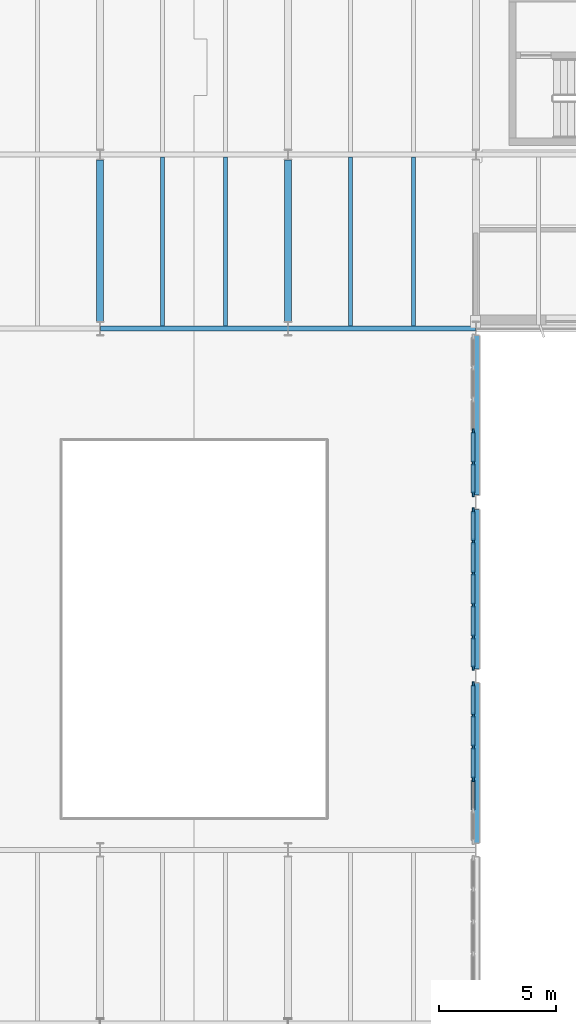
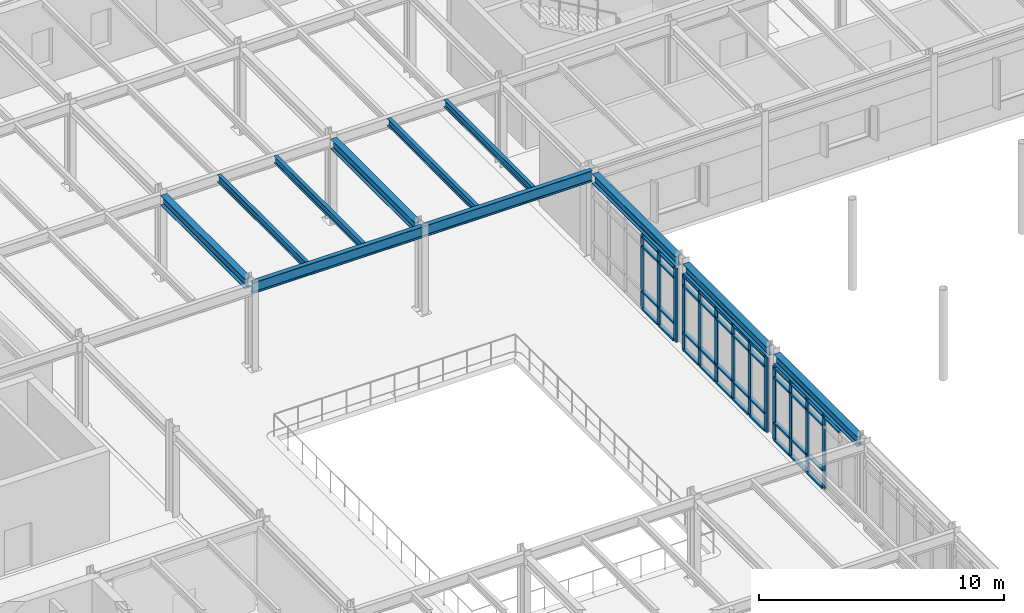
# One storey, part 22 of 75: 54 members, 11 beams, 3 elements without a shape of their own.
"""IFC4 building model written with IfcOpenShell, lengths in metres."""

from ifc_helpers import new_model, si_unit, direction, frame, origin, origin_2d, place, context, subcontext, project, spatial, rectangle, i_section, extrude, material, layer, layer_set, material_profile, profile_set, type_object, element, aggregate, save


model = new_model("IFC4")

# Units and contexts
model_context = context("Model", 3, precision=1e-05, world=origin(), true_north=direction((0.0, 1.0)))
body_context = subcontext(model_context, "Body", "Model", "MODEL_VIEW")
ifc_project = project(units=[si_unit("LENGTHUNIT", "METRE"), si_unit("AREAUNIT", "SQUARE_METRE"), si_unit("VOLUMEUNIT", "CUBIC_METRE"), si_unit("PLANEANGLEUNIT", "RADIAN"), si_unit("MASSUNIT", "GRAM", prefix="KILO")], contexts=[model_context])

# Site, building, storey
site_placement = place(None, origin())
site = spatial("IfcSite", under=ifc_project, at=site_placement, CompositionType="ELEMENT")
building_placement = place(site_placement, origin())
building = spatial("IfcBuilding", under=site, at=building_placement, Name="Valkorina Park Police Headquarters", CompositionType="ELEMENT")
storey_placement = place(building_placement, frame((0.0, 0.0, 5.39990234375)))
storey = spatial("IfcBuildingStorey", under=building, at=storey_placement, Name="L02", CompositionType="ELEMENT", Elevation=5.39990234375)

# Beams
ifc_material_1 = material(Name="Steel S355", Category="steel")
ifc_material_profile_1 = material_profile(ifc_material_1, i_section(OverallWidth=0.300048828125, OverallDepth=0.489990234375, WebThickness=0.011962890625, FlangeThickness=0.02294921875, FilletRadius=0.027099609375, at=origin_2d()), Name="HEA 500")
ifc_profile_set_1 = profile_set([ifc_material_profile_1], Name="Steel S355")
beam_type_1 = type_object("IfcBeamType", Name="BM-S355-HEA500-BM", PredefinedType="BEAM", material=ifc_profile_set_1)
for number, where, z_axis, x_axis, name in (
    (1, (64.800048828125, 59.5, 3.9951171875), (0.0, 1.0, 0.0), (-1.0, 0.0, 0.0), "L02 Framing Beam 1617"),
    (2, (72.800048828125, 59.5, 3.9951171875), (0.0, 1.0, 0.0), (-1.0, 0.0, 0.0), "L02 Framing Beam 1632"),
):
    element("IfcBeam", number, at=place(storey_placement, frame(where, z_axis=z_axis, x_axis=x_axis)), inside=storey, type_object=beam_type_1, Name=name, PredefinedType="BEAM", context=body_context, shape_type="SweptSolid", body=[
        extrude(i_section(OverallWidth=0.300048828125, OverallDepth=0.489990234375, WebThickness=0.011962890625, FlangeThickness=0.02294921875, FilletRadius=0.027099609375, at=origin_2d()), origin(), (0.0, 0.0, 1.0), 6.875),
    ])
ifc_material_profile_2 = material_profile(ifc_material_1, i_section(OverallWidth=0.300048828125, OverallDepth=0.489990234375, WebThickness=0.011962890625, FlangeThickness=0.02294921875, FilletRadius=0.027099609375, at=origin_2d()), Name="HEA 500")
ifc_profile_set_2 = profile_set([ifc_material_profile_2], Name="Steel S355")
beam_type_2 = type_object("IfcBeamType", Name="BM-S355-HEA500-SPN", PredefinedType="SPANDREL", material=ifc_profile_set_2)
for number, where, z_axis, x_axis, name in (
    (3, (80.800048828125, 37.300048828125, 3.9951171875), (0.0, 1.0, 0.0), (-1.0, 0.0, 0.0), "L02 Framing Beam 1643"),
    (4, (80.800048828125, 44.699951171875, 3.9951171875), (0.0, 1.0, 0.0), (-1.0, 0.0, 0.0), "L02 Framing Beam 1644"),
):
    element("IfcBeam", number, at=place(storey_placement, frame(where, z_axis=z_axis, x_axis=x_axis)), inside=storey, type_object=beam_type_2, Name=name, PredefinedType="SPANDREL", context=body_context, shape_type="SweptSolid", body=[
        extrude(i_section(OverallWidth=0.300048828125, OverallDepth=0.489990234375, WebThickness=0.011962890625, FlangeThickness=0.02294921875, FilletRadius=0.027099609375, at=origin_2d()), origin(), (0.0, 0.0, 1.0), 6.800048828125),
    ])
beam_placement = place(storey_placement, frame((80.800048828125, 52.10009765625, 3.9951171875), z_axis=(0.0, 1.0, 0.0), x_axis=(-1.0, 0.0, 0.0)))
element("IfcBeam", 5, at=beam_placement, inside=storey, type_object=beam_type_2, Name="L02 Framing Beam 1645", PredefinedType="SPANDREL", context=body_context, shape_type="SweptSolid", body=[
    extrude(i_section(OverallWidth=0.300048828125, OverallDepth=0.489990234375, WebThickness=0.011962890625, FlangeThickness=0.02294921875, FilletRadius=0.027099609375, at=origin_2d()), origin(), (0.0, 0.0, 1.0), 6.7998046875),
])
ifc_material_profile_3 = material_profile(ifc_material_1, i_section(OverallWidth=0.169921875, OverallDepth=0.360107421875, WebThickness=0.008056640625, FlangeThickness=0.0126953125, FilletRadius=0.01806640625, at=origin_2d()), Name="IPE 360")
ifc_profile_set_3 = profile_set([ifc_material_profile_3], Name="Steel S355")
beam_type_3 = type_object("IfcBeamType", Name="BM-S355-IPE360-JST", PredefinedType="JOIST", material=ifc_profile_set_3)
for number, where, z_axis, x_axis, name in (
    (6, (67.466796875, 59.304931640625, 4.06005859375), (0.0, 1.0, 0.0), (-1.0, 0.0, 0.0), "L02 Framing Beam 1618"),
    (7, (70.13330078125, 59.304931640625, 4.06005859375), (0.0, 1.0, 0.0), (-1.0, 0.0, 0.0), "L02 Framing Beam 1619"),
    (8, (75.466796875, 59.304931640625, 4.06005859375), (0.0, 1.0, 0.0), (-1.0, 0.0, 0.0), "L02 Framing Beam 1633"),
    (9, (78.13330078125, 59.304931640625, 4.06005859375), (0.0, 1.0, 0.0), (-1.0, 0.0, 0.0), "L02 Framing Beam 1634"),
):
    element("IfcBeam", number, at=place(storey_placement, frame(where, z_axis=z_axis, x_axis=x_axis)), inside=storey, type_object=beam_type_3, Name=name, PredefinedType="JOIST", context=body_context, shape_type="SweptSolid", body=[
        extrude(i_section(OverallWidth=0.169921875, OverallDepth=0.360107421875, WebThickness=0.008056640625, FlangeThickness=0.0126953125, FilletRadius=0.01806640625, at=origin_2d()), origin(), (0.0, 0.0, 1.0), 7.190185546875),
    ])
ifc_material_profile_4 = material_profile(ifc_material_1, i_section(OverallWidth=0.2099609375, OverallDepth=0.550048828125, WebThickness=0.010986328125, FlangeThickness=0.01708984375, FilletRadius=0.02392578125, at=origin_2d()), Name="IPE 550")
ifc_profile_set_4 = profile_set([ifc_material_profile_4], Name="Steel S355")
beam_type_4 = type_object("IfcBeamType", Name="BM-S355-IPE550-BM", PredefinedType="BEAM", material=ifc_profile_set_4)
for number, where, z_axis, x_axis, name in (
    (10, (64.8076171875, 59.199951171875, 3.965087890625), (1.0, 0.0, 0.0), (0.0, 1.0, 0.0), "L02 Framing Beam 1347"),
    (11, (72.8076171875, 59.199951171875, 3.965087890625), (1.0, 0.0, 0.0), (0.0, 1.0, 0.0), "L02 Framing Beam 1348"),
):
    element("IfcBeam", number, at=place(storey_placement, frame(where, z_axis=z_axis, x_axis=x_axis)), inside=storey, type_object=beam_type_4, Name=name, PredefinedType="BEAM", context=body_context, shape_type="SweptSolid", body=[
        extrude(i_section(OverallWidth=0.2099609375, OverallDepth=0.550048828125, WebThickness=0.010986328125, FlangeThickness=0.01708984375, FilletRadius=0.02392578125, at=origin_2d()), origin(), (0.0, 0.0, 1.0), 7.984619140625),
    ])

# Curtain wall, members
ifc_material_2 = material(Name="Thermally broken aluminium AW-6060", Category="aluminium")
ifc_layer_1 = layer(ifc_material_2, 0.18994140625)
ifc_layer_set_1 = layer_set([ifc_layer_1], Name="Thermally broken aluminium AW-6060")
curtain_wall_type_1 = type_object("IfcCurtainWallType", Name="CW-V4-6780x3680", PredefinedType="NOTDEFINED", material=ifc_layer_set_1)
curtain_wall_1_placement = place(storey_placement, origin())
curtain_wall_1 = element("IfcCurtainWall", 12, at=curtain_wall_1_placement, inside=storey, type_object=curtain_wall_type_1, Name="L02 Unitised Curtain Wall 009", PredefinedType="NOTDEFINED")
ifc_material_profile_5 = material_profile(ifc_material_2, rectangle(XDim=0.080078125, YDim=0.219970703125, at=origin_2d()), Name="CWM-03 80x220")
ifc_profile_set_5 = profile_set([ifc_material_profile_5], Name="Thermally broken aluminium AW-6060")
member_type_1 = type_object("IfcMemberType", Name="CWM-80x220", PredefinedType="MULLION", material=ifc_profile_set_5)
member_1_placement = place(storey_placement, frame((80.679931640625, 54.822021484375, 0.0), z_axis=(0.0, 0.0, 1.0), x_axis=(1.0, 0.0, 0.0)))
member_1 = element("IfcMember", 13, at=member_1_placement, type_object=member_type_1, Name="CW-V4-678-368 mullion 4", PredefinedType="MULLION", context=body_context, shape_type="SweptSolid", body=[
    extrude(rectangle(XDim=0.080078125, YDim=0.219970703125, at=origin_2d()), origin(), (0.0, 0.0, 1.0), 3.68017578125),
])
member_2_placement = place(storey_placement, frame((80.679931640625, 53.466064453125, 0.0), z_axis=(0.0, 0.0, 1.0), x_axis=(1.0, 0.0, 0.0)))
member_2 = element("IfcMember", 14, at=member_2_placement, type_object=member_type_1, Name="CW-V4-678-368 mullion 5", PredefinedType="MULLION", context=body_context, shape_type="SweptSolid", body=[
    extrude(rectangle(XDim=0.080078125, YDim=0.219970703125, at=origin_2d()), origin(), (0.0, 0.0, 1.0), 3.68017578125),
])
member_3_placement = place(storey_placement, frame((80.679931640625, 52.14990234375, 0.0), z_axis=(0.0, 0.0, 1.0), x_axis=(1.0, 0.0, 0.0)))
member_3 = element("IfcMember", 15, at=member_3_placement, type_object=member_type_1, Name="CW-V4-678-368 mullion 6", PredefinedType="MULLION", context=body_context, shape_type="SweptSolid", body=[
    extrude(rectangle(XDim=0.080078125, YDim=0.219970703125, at=origin_2d()), origin(), (0.0, 0.0, 1.0), 3.68017578125),
])

ifc_layer_2 = layer(ifc_material_2, 0.18994140625)
ifc_layer_set_2 = layer_set([ifc_layer_2], Name="Thermally broken aluminium AW-6060")
curtain_wall_type_2 = type_object("IfcCurtainWallType", Name="CW-V4-6780x3740", PredefinedType="NOTDEFINED", material=ifc_layer_set_2)
curtain_wall_2_placement = place(storey_placement, origin())
curtain_wall_2 = element("IfcCurtainWall", 16, at=curtain_wall_2_placement, inside=storey, type_object=curtain_wall_type_2, Name="L02 Unitised Curtain Wall 010", PredefinedType="NOTDEFINED")
member_4_placement = place(storey_placement, frame((80.679931640625, 51.449951171875, 0.0), z_axis=(0.0, 0.0, 1.0), x_axis=(1.0, 0.0, 0.0)))
member_4 = element("IfcMember", 17, at=member_4_placement, type_object=member_type_1, Name="CW-V4-678-374 mullion 1", PredefinedType="MULLION", context=body_context, shape_type="SweptSolid", body=[
    extrude(rectangle(XDim=0.080078125, YDim=0.219970703125, at=origin_2d()), origin(), (0.0, 0.0, 1.0), 3.739990234375),
])
member_5_placement = place(storey_placement, frame((80.679931640625, 50.134033203125, 0.0), z_axis=(0.0, 0.0, 1.0), x_axis=(1.0, 0.0, 0.0)))
member_5 = element("IfcMember", 18, at=member_5_placement, type_object=member_type_1, Name="CW-V4-678-374 mullion 2", PredefinedType="MULLION", context=body_context, shape_type="SweptSolid", body=[
    extrude(rectangle(XDim=0.080078125, YDim=0.219970703125, at=origin_2d()), origin(), (0.0, 0.0, 1.0), 3.739990234375),
])
member_6_placement = place(storey_placement, frame((80.679931640625, 48.778076171875, 0.0), z_axis=(0.0, 0.0, 1.0), x_axis=(1.0, 0.0, 0.0)))
member_6 = element("IfcMember", 19, at=member_6_placement, type_object=member_type_1, Name="CW-V4-678-374 mullion 3", PredefinedType="MULLION", context=body_context, shape_type="SweptSolid", body=[
    extrude(rectangle(XDim=0.080078125, YDim=0.219970703125, at=origin_2d()), origin(), (0.0, 0.0, 1.0), 3.739990234375),
])
member_7_placement = place(storey_placement, frame((80.679931640625, 47.422119140625, 0.0), z_axis=(0.0, 0.0, 1.0), x_axis=(1.0, 0.0, 0.0)))
member_7 = element("IfcMember", 20, at=member_7_placement, type_object=member_type_1, Name="CW-V4-678-374 mullion 4", PredefinedType="MULLION", context=body_context, shape_type="SweptSolid", body=[
    extrude(rectangle(XDim=0.080078125, YDim=0.219970703125, at=origin_2d()), origin(), (0.0, 0.0, 1.0), 3.739990234375),
])
member_8_placement = place(storey_placement, frame((80.679931640625, 46.06591796875, 0.0), z_axis=(0.0, 0.0, 1.0), x_axis=(1.0, 0.0, 0.0)))
member_8 = element("IfcMember", 21, at=member_8_placement, type_object=member_type_1, Name="CW-V4-678-374 mullion 5", PredefinedType="MULLION", context=body_context, shape_type="SweptSolid", body=[
    extrude(rectangle(XDim=0.080078125, YDim=0.219970703125, at=origin_2d()), origin(), (0.0, 0.0, 1.0), 3.739990234375),
])
member_9_placement = place(storey_placement, frame((80.679931640625, 44.75, 0.0), z_axis=(0.0, 0.0, 1.0), x_axis=(1.0, 0.0, 0.0)))
member_9 = element("IfcMember", 22, at=member_9_placement, type_object=member_type_1, Name="CW-V4-678-374 mullion 6", PredefinedType="MULLION", context=body_context, shape_type="SweptSolid", body=[
    extrude(rectangle(XDim=0.080078125, YDim=0.219970703125, at=origin_2d()), origin(), (0.0, 0.0, 1.0), 3.739990234375),
])

curtain_wall_3_placement = place(storey_placement, origin())
curtain_wall_3 = element("IfcCurtainWall", 23, at=curtain_wall_3_placement, inside=storey, type_object=curtain_wall_type_1, Name="L02 Unitised Curtain Wall 011", PredefinedType="NOTDEFINED")
member_10_placement = place(storey_placement, frame((80.679931640625, 44.050048828125, 0.0), z_axis=(0.0, 0.0, 1.0), x_axis=(1.0, 0.0, 0.0)))
member_10 = element("IfcMember", 24, at=member_10_placement, type_object=member_type_1, Name="CW-V4-678-368 mullion 1", PredefinedType="MULLION", context=body_context, shape_type="SweptSolid", body=[
    extrude(rectangle(XDim=0.080078125, YDim=0.219970703125, at=origin_2d()), origin(), (0.0, 0.0, 1.0), 3.68017578125),
])
member_11_placement = place(storey_placement, frame((80.679931640625, 42.73388671875, 0.0), z_axis=(0.0, 0.0, 1.0), x_axis=(1.0, 0.0, 0.0)))
member_11 = element("IfcMember", 25, at=member_11_placement, type_object=member_type_1, Name="CW-V4-678-368 mullion 2", PredefinedType="MULLION", context=body_context, shape_type="SweptSolid", body=[
    extrude(rectangle(XDim=0.080078125, YDim=0.219970703125, at=origin_2d()), origin(), (0.0, 0.0, 1.0), 3.68017578125),
])
member_12_placement = place(storey_placement, frame((80.679931640625, 41.3779296875, 0.0), z_axis=(0.0, 0.0, 1.0), x_axis=(1.0, 0.0, 0.0)))
member_12 = element("IfcMember", 26, at=member_12_placement, type_object=member_type_1, Name="CW-V4-678-368 mullion 3", PredefinedType="MULLION", context=body_context, shape_type="SweptSolid", body=[
    extrude(rectangle(XDim=0.080078125, YDim=0.219970703125, at=origin_2d()), origin(), (0.0, 0.0, 1.0), 3.68017578125),
])
member_13_placement = place(storey_placement, frame((80.679931640625, 40.02197265625, 0.0), z_axis=(0.0, 0.0, 1.0), x_axis=(1.0, 0.0, 0.0)))
member_13 = element("IfcMember", 27, at=member_13_placement, type_object=member_type_1, Name="CW-V4-678-368 mullion 4", PredefinedType="MULLION", context=body_context, shape_type="SweptSolid", body=[
    extrude(rectangle(XDim=0.080078125, YDim=0.219970703125, at=origin_2d()), origin(), (0.0, 0.0, 1.0), 3.68017578125),
])

# Member
ifc_material_profile_6 = material_profile(ifc_material_2, rectangle(XDim=0.179931640625, YDim=0.080078125, at=origin_2d()), Name="CWT-03 180x80")
ifc_profile_set_6 = profile_set([ifc_material_profile_6], Name="Thermally broken aluminium AW-6060")
member_type_2 = type_object("IfcMemberType", Name="CWT-180x80", PredefinedType="USERDEFINED", material=ifc_profile_set_6)
member_14_placement = place(storey_placement, frame((80.679931640625, 54.781982421875, 0.0400390625), z_axis=(0.0, -1.0, 0.0), x_axis=(1.0, 0.0, 0.0)))
member_14 = element("IfcMember", 28, at=member_14_placement, type_object=member_type_2, Name="CW-V4-678-368 transom 4.1", ObjectType="TRANSOM", PredefinedType="USERDEFINED", context=body_context, shape_type="SweptSolid", body=[
    extrude(rectangle(XDim=0.179931640625, YDim=0.080078125, at=origin_2d()), origin(), (0.0, 0.0, 1.0), 1.27587890625),
])

member_15_placement = place(storey_placement, frame((80.679931640625, 54.781982421875, 0.900146484375), z_axis=(0.0, -1.0, 0.0), x_axis=(1.0, 0.0, 0.0)))
member_15 = element("IfcMember", 29, at=member_15_placement, type_object=member_type_2, Name="CW-V4-678-368 transom 4.2", ObjectType="TRANSOM", PredefinedType="USERDEFINED", context=body_context, shape_type="SweptSolid", body=[
    extrude(rectangle(XDim=0.179931640625, YDim=0.080078125, at=origin_2d()), origin(), (0.0, 0.0, 1.0), 1.27587890625),
])

member_16_placement = place(storey_placement, frame((80.679931640625, 54.781982421875, 3.16015625), z_axis=(0.0, -1.0, 0.0), x_axis=(1.0, 0.0, 0.0)))
member_16 = element("IfcMember", 30, at=member_16_placement, type_object=member_type_2, Name="CW-V4-678-368 transom 4.3", ObjectType="TRANSOM", PredefinedType="USERDEFINED", context=body_context, shape_type="SweptSolid", body=[
    extrude(rectangle(XDim=0.179931640625, YDim=0.080078125, at=origin_2d()), origin(), (0.0, 0.0, 1.0), 1.27587890625),
])

member_17_placement = place(storey_placement, frame((80.679931640625, 54.781982421875, 3.64013671875), z_axis=(0.0, -1.0, 0.0), x_axis=(1.0, 0.0, 0.0)))
member_17 = element("IfcMember", 31, at=member_17_placement, type_object=member_type_2, Name="CW-V4-678-368 transom 4.4", ObjectType="TRANSOM", PredefinedType="USERDEFINED", context=body_context, shape_type="SweptSolid", body=[
    extrude(rectangle(XDim=0.179931640625, YDim=0.080078125, at=origin_2d()), origin(), (0.0, 0.0, 1.0), 1.27587890625),
])

member_18_placement = place(storey_placement, frame((80.679931640625, 53.426025390625, 0.0400390625), z_axis=(0.0, -1.0, 0.0), x_axis=(1.0, 0.0, 0.0)))
member_18 = element("IfcMember", 32, at=member_18_placement, type_object=member_type_2, Name="CW-V4-678-368 transom 5.1", ObjectType="TRANSOM", PredefinedType="USERDEFINED", context=body_context, shape_type="SweptSolid", body=[
    extrude(rectangle(XDim=0.179931640625, YDim=0.080078125, at=origin_2d()), origin(), (0.0, 0.0, 1.0), 1.236083984375),
])

member_19_placement = place(storey_placement, frame((80.679931640625, 53.426025390625, 0.900146484375), z_axis=(0.0, -1.0, 0.0), x_axis=(1.0, 0.0, 0.0)))
member_19 = element("IfcMember", 33, at=member_19_placement, type_object=member_type_2, Name="CW-V4-678-368 transom 5.2", ObjectType="TRANSOM", PredefinedType="USERDEFINED", context=body_context, shape_type="SweptSolid", body=[
    extrude(rectangle(XDim=0.179931640625, YDim=0.080078125, at=origin_2d()), origin(), (0.0, 0.0, 1.0), 1.236083984375),
])

member_20_placement = place(storey_placement, frame((80.679931640625, 53.426025390625, 3.16015625), z_axis=(0.0, -1.0, 0.0), x_axis=(1.0, 0.0, 0.0)))
member_20 = element("IfcMember", 34, at=member_20_placement, type_object=member_type_2, Name="CW-V4-678-368 transom 5.3", ObjectType="TRANSOM", PredefinedType="USERDEFINED", context=body_context, shape_type="SweptSolid", body=[
    extrude(rectangle(XDim=0.179931640625, YDim=0.080078125, at=origin_2d()), origin(), (0.0, 0.0, 1.0), 1.236083984375),
])

member_21_placement = place(storey_placement, frame((80.679931640625, 53.426025390625, 3.64013671875), z_axis=(0.0, -1.0, 0.0), x_axis=(1.0, 0.0, 0.0)))
member_21 = element("IfcMember", 35, at=member_21_placement, type_object=member_type_2, Name="CW-V4-678-368 transom 5.4", ObjectType="TRANSOM", PredefinedType="USERDEFINED", context=body_context, shape_type="SweptSolid", body=[
    extrude(rectangle(XDim=0.179931640625, YDim=0.080078125, at=origin_2d()), origin(), (0.0, 0.0, 1.0), 1.236083984375),
])

aggregate(curtain_wall_1, [member_1, member_2, member_3, member_14, member_15, member_16, member_17, member_18, member_19, member_20, member_21])

member_22_placement = place(storey_placement, frame((80.679931640625, 51.409912109375, 0.0400390625), z_axis=(0.0, -1.0, 0.0), x_axis=(1.0, 0.0, 0.0)))
member_22 = element("IfcMember", 36, at=member_22_placement, type_object=member_type_2, Name="CW-V4-678-374 transom 1.1", ObjectType="TRANSOM", PredefinedType="USERDEFINED", context=body_context, shape_type="SweptSolid", body=[
    extrude(rectangle(XDim=0.179931640625, YDim=0.080078125, at=origin_2d()), origin(), (0.0, 0.0, 1.0), 1.23583984375),
])

member_23_placement = place(storey_placement, frame((80.679931640625, 51.409912109375, 0.900146484375), z_axis=(0.0, -1.0, 0.0), x_axis=(1.0, 0.0, 0.0)))
member_23 = element("IfcMember", 37, at=member_23_placement, type_object=member_type_2, Name="CW-V4-678-374 transom 1.2", ObjectType="TRANSOM", PredefinedType="USERDEFINED", context=body_context, shape_type="SweptSolid", body=[
    extrude(rectangle(XDim=0.179931640625, YDim=0.080078125, at=origin_2d()), origin(), (0.0, 0.0, 1.0), 1.23583984375),
])

member_24_placement = place(storey_placement, frame((80.679931640625, 51.409912109375, 3.22021484375), z_axis=(0.0, -1.0, 0.0), x_axis=(1.0, 0.0, 0.0)))
member_24 = element("IfcMember", 38, at=member_24_placement, type_object=member_type_2, Name="CW-V4-678-374 transom 1.3", ObjectType="TRANSOM", PredefinedType="USERDEFINED", context=body_context, shape_type="SweptSolid", body=[
    extrude(rectangle(XDim=0.179931640625, YDim=0.080078125, at=origin_2d()), origin(), (0.0, 0.0, 1.0), 1.23583984375),
])

member_25_placement = place(storey_placement, frame((80.679931640625, 51.409912109375, 3.7001953125), z_axis=(0.0, -1.0, 0.0), x_axis=(1.0, 0.0, 0.0)))
member_25 = element("IfcMember", 39, at=member_25_placement, type_object=member_type_2, Name="CW-V4-678-374 transom 1.4", ObjectType="TRANSOM", PredefinedType="USERDEFINED", context=body_context, shape_type="SweptSolid", body=[
    extrude(rectangle(XDim=0.179931640625, YDim=0.080078125, at=origin_2d()), origin(), (0.0, 0.0, 1.0), 1.23583984375),
])

member_26_placement = place(storey_placement, frame((80.679931640625, 50.093994140625, 0.0400390625), z_axis=(0.0, -1.0, 0.0), x_axis=(1.0, 0.0, 0.0)))
member_26 = element("IfcMember", 40, at=member_26_placement, type_object=member_type_2, Name="CW-V4-678-374 transom 2.1", ObjectType="TRANSOM", PredefinedType="USERDEFINED", context=body_context, shape_type="SweptSolid", body=[
    extrude(rectangle(XDim=0.179931640625, YDim=0.080078125, at=origin_2d()), origin(), (0.0, 0.0, 1.0), 1.27587890625),
])

member_27_placement = place(storey_placement, frame((80.679931640625, 50.093994140625, 0.900146484375), z_axis=(0.0, -1.0, 0.0), x_axis=(1.0, 0.0, 0.0)))
member_27 = element("IfcMember", 41, at=member_27_placement, type_object=member_type_2, Name="CW-V4-678-374 transom 2.2", ObjectType="TRANSOM", PredefinedType="USERDEFINED", context=body_context, shape_type="SweptSolid", body=[
    extrude(rectangle(XDim=0.179931640625, YDim=0.080078125, at=origin_2d()), origin(), (0.0, 0.0, 1.0), 1.27587890625),
])

member_28_placement = place(storey_placement, frame((80.679931640625, 50.093994140625, 3.22021484375), z_axis=(0.0, -1.0, 0.0), x_axis=(1.0, 0.0, 0.0)))
member_28 = element("IfcMember", 42, at=member_28_placement, type_object=member_type_2, Name="CW-V4-678-374 transom 2.3", ObjectType="TRANSOM", PredefinedType="USERDEFINED", context=body_context, shape_type="SweptSolid", body=[
    extrude(rectangle(XDim=0.179931640625, YDim=0.080078125, at=origin_2d()), origin(), (0.0, 0.0, 1.0), 1.27587890625),
])

member_29_placement = place(storey_placement, frame((80.679931640625, 50.093994140625, 3.7001953125), z_axis=(0.0, -1.0, 0.0), x_axis=(1.0, 0.0, 0.0)))
member_29 = element("IfcMember", 43, at=member_29_placement, type_object=member_type_2, Name="CW-V4-678-374 transom 2.4", ObjectType="TRANSOM", PredefinedType="USERDEFINED", context=body_context, shape_type="SweptSolid", body=[
    extrude(rectangle(XDim=0.179931640625, YDim=0.080078125, at=origin_2d()), origin(), (0.0, 0.0, 1.0), 1.27587890625),
])

member_30_placement = place(storey_placement, frame((80.679931640625, 48.738037109375, 0.0400390625), z_axis=(0.0, -1.0, 0.0), x_axis=(1.0, 0.0, 0.0)))
member_30 = element("IfcMember", 44, at=member_30_placement, type_object=member_type_2, Name="CW-V4-678-374 transom 3.1", ObjectType="TRANSOM", PredefinedType="USERDEFINED", context=body_context, shape_type="SweptSolid", body=[
    extrude(rectangle(XDim=0.179931640625, YDim=0.080078125, at=origin_2d()), origin(), (0.0, 0.0, 1.0), 1.276123046875),
])

member_31_placement = place(storey_placement, frame((80.679931640625, 48.738037109375, 0.900146484375), z_axis=(0.0, -1.0, 0.0), x_axis=(1.0, 0.0, 0.0)))
member_31 = element("IfcMember", 45, at=member_31_placement, type_object=member_type_2, Name="CW-V4-678-374 transom 3.2", ObjectType="TRANSOM", PredefinedType="USERDEFINED", context=body_context, shape_type="SweptSolid", body=[
    extrude(rectangle(XDim=0.179931640625, YDim=0.080078125, at=origin_2d()), origin(), (0.0, 0.0, 1.0), 1.276123046875),
])

member_32_placement = place(storey_placement, frame((80.679931640625, 48.738037109375, 3.22021484375), z_axis=(0.0, -1.0, 0.0), x_axis=(1.0, 0.0, 0.0)))
member_32 = element("IfcMember", 46, at=member_32_placement, type_object=member_type_2, Name="CW-V4-678-374 transom 3.3", ObjectType="TRANSOM", PredefinedType="USERDEFINED", context=body_context, shape_type="SweptSolid", body=[
    extrude(rectangle(XDim=0.179931640625, YDim=0.080078125, at=origin_2d()), origin(), (0.0, 0.0, 1.0), 1.276123046875),
])

member_33_placement = place(storey_placement, frame((80.679931640625, 48.738037109375, 3.7001953125), z_axis=(0.0, -1.0, 0.0), x_axis=(1.0, 0.0, 0.0)))
member_33 = element("IfcMember", 47, at=member_33_placement, type_object=member_type_2, Name="CW-V4-678-374 transom 3.4", ObjectType="TRANSOM", PredefinedType="USERDEFINED", context=body_context, shape_type="SweptSolid", body=[
    extrude(rectangle(XDim=0.179931640625, YDim=0.080078125, at=origin_2d()), origin(), (0.0, 0.0, 1.0), 1.276123046875),
])

member_34_placement = place(storey_placement, frame((80.679931640625, 47.382080078125, 0.0400390625), z_axis=(0.0, -1.0, 0.0), x_axis=(1.0, 0.0, 0.0)))
member_34 = element("IfcMember", 48, at=member_34_placement, type_object=member_type_2, Name="CW-V4-678-374 transom 4.1", ObjectType="TRANSOM", PredefinedType="USERDEFINED", context=body_context, shape_type="SweptSolid", body=[
    extrude(rectangle(XDim=0.179931640625, YDim=0.080078125, at=origin_2d()), origin(), (0.0, 0.0, 1.0), 1.276123046875),
])

member_35_placement = place(storey_placement, frame((80.679931640625, 47.382080078125, 0.900146484375), z_axis=(0.0, -1.0, 0.0), x_axis=(1.0, 0.0, 0.0)))
member_35 = element("IfcMember", 49, at=member_35_placement, type_object=member_type_2, Name="CW-V4-678-374 transom 4.2", ObjectType="TRANSOM", PredefinedType="USERDEFINED", context=body_context, shape_type="SweptSolid", body=[
    extrude(rectangle(XDim=0.179931640625, YDim=0.080078125, at=origin_2d()), origin(), (0.0, 0.0, 1.0), 1.276123046875),
])

member_36_placement = place(storey_placement, frame((80.679931640625, 47.382080078125, 3.22021484375), z_axis=(0.0, -1.0, 0.0), x_axis=(1.0, 0.0, 0.0)))
member_36 = element("IfcMember", 50, at=member_36_placement, type_object=member_type_2, Name="CW-V4-678-374 transom 4.3", ObjectType="TRANSOM", PredefinedType="USERDEFINED", context=body_context, shape_type="SweptSolid", body=[
    extrude(rectangle(XDim=0.179931640625, YDim=0.080078125, at=origin_2d()), origin(), (0.0, 0.0, 1.0), 1.276123046875),
])

member_37_placement = place(storey_placement, frame((80.679931640625, 47.382080078125, 3.7001953125), z_axis=(0.0, -1.0, 0.0), x_axis=(1.0, 0.0, 0.0)))
member_37 = element("IfcMember", 51, at=member_37_placement, type_object=member_type_2, Name="CW-V4-678-374 transom 4.4", ObjectType="TRANSOM", PredefinedType="USERDEFINED", context=body_context, shape_type="SweptSolid", body=[
    extrude(rectangle(XDim=0.179931640625, YDim=0.080078125, at=origin_2d()), origin(), (0.0, 0.0, 1.0), 1.276123046875),
])

member_38_placement = place(storey_placement, frame((80.679931640625, 46.02587890625, 0.0400390625), z_axis=(0.0, -1.0, 0.0), x_axis=(1.0, 0.0, 0.0)))
member_38 = element("IfcMember", 52, at=member_38_placement, type_object=member_type_2, Name="CW-V4-678-374 transom 5.1", ObjectType="TRANSOM", PredefinedType="USERDEFINED", context=body_context, shape_type="SweptSolid", body=[
    extrude(rectangle(XDim=0.179931640625, YDim=0.080078125, at=origin_2d()), origin(), (0.0, 0.0, 1.0), 1.23583984375),
])

member_39_placement = place(storey_placement, frame((80.679931640625, 46.02587890625, 0.900146484375), z_axis=(0.0, -1.0, 0.0), x_axis=(1.0, 0.0, 0.0)))
member_39 = element("IfcMember", 53, at=member_39_placement, type_object=member_type_2, Name="CW-V4-678-374 transom 5.2", ObjectType="TRANSOM", PredefinedType="USERDEFINED", context=body_context, shape_type="SweptSolid", body=[
    extrude(rectangle(XDim=0.179931640625, YDim=0.080078125, at=origin_2d()), origin(), (0.0, 0.0, 1.0), 1.23583984375),
])

member_40_placement = place(storey_placement, frame((80.679931640625, 46.02587890625, 3.22021484375), z_axis=(0.0, -1.0, 0.0), x_axis=(1.0, 0.0, 0.0)))
member_40 = element("IfcMember", 54, at=member_40_placement, type_object=member_type_2, Name="CW-V4-678-374 transom 5.3", ObjectType="TRANSOM", PredefinedType="USERDEFINED", context=body_context, shape_type="SweptSolid", body=[
    extrude(rectangle(XDim=0.179931640625, YDim=0.080078125, at=origin_2d()), origin(), (0.0, 0.0, 1.0), 1.23583984375),
])

member_41_placement = place(storey_placement, frame((80.679931640625, 46.02587890625, 3.7001953125), z_axis=(0.0, -1.0, 0.0), x_axis=(1.0, 0.0, 0.0)))
member_41 = element("IfcMember", 55, at=member_41_placement, type_object=member_type_2, Name="CW-V4-678-374 transom 5.4", ObjectType="TRANSOM", PredefinedType="USERDEFINED", context=body_context, shape_type="SweptSolid", body=[
    extrude(rectangle(XDim=0.179931640625, YDim=0.080078125, at=origin_2d()), origin(), (0.0, 0.0, 1.0), 1.23583984375),
])

aggregate(curtain_wall_2, [member_4, member_5, member_6, member_7, member_8, member_9, member_22, member_23, member_24, member_25, member_26, member_27, member_28, member_29, member_30, member_31, member_32, member_33, member_34, member_35, member_36, member_37, member_38, member_39, member_40, member_41])

member_42_placement = place(storey_placement, frame((80.679931640625, 44.010009765625, 0.0400390625), z_axis=(0.0, -1.0, 0.0), x_axis=(1.0, 0.0, 0.0)))
member_42 = element("IfcMember", 56, at=member_42_placement, type_object=member_type_2, Name="CW-V4-678-368 transom 1.1", ObjectType="TRANSOM", PredefinedType="USERDEFINED", context=body_context, shape_type="SweptSolid", body=[
    extrude(rectangle(XDim=0.179931640625, YDim=0.080078125, at=origin_2d()), origin(), (0.0, 0.0, 1.0), 1.236083984375),
])

member_43_placement = place(storey_placement, frame((80.679931640625, 44.010009765625, 0.900146484375), z_axis=(0.0, -1.0, 0.0), x_axis=(1.0, 0.0, 0.0)))
member_43 = element("IfcMember", 57, at=member_43_placement, type_object=member_type_2, Name="CW-V4-678-368 transom 1.2", ObjectType="TRANSOM", PredefinedType="USERDEFINED", context=body_context, shape_type="SweptSolid", body=[
    extrude(rectangle(XDim=0.179931640625, YDim=0.080078125, at=origin_2d()), origin(), (0.0, 0.0, 1.0), 1.236083984375),
])

member_44_placement = place(storey_placement, frame((80.679931640625, 44.010009765625, 3.16015625), z_axis=(0.0, -1.0, 0.0), x_axis=(1.0, 0.0, 0.0)))
member_44 = element("IfcMember", 58, at=member_44_placement, type_object=member_type_2, Name="CW-V4-678-368 transom 1.3", ObjectType="TRANSOM", PredefinedType="USERDEFINED", context=body_context, shape_type="SweptSolid", body=[
    extrude(rectangle(XDim=0.179931640625, YDim=0.080078125, at=origin_2d()), origin(), (0.0, 0.0, 1.0), 1.236083984375),
])

member_45_placement = place(storey_placement, frame((80.679931640625, 44.010009765625, 3.64013671875), z_axis=(0.0, -1.0, 0.0), x_axis=(1.0, 0.0, 0.0)))
member_45 = element("IfcMember", 59, at=member_45_placement, type_object=member_type_2, Name="CW-V4-678-368 transom 1.4", ObjectType="TRANSOM", PredefinedType="USERDEFINED", context=body_context, shape_type="SweptSolid", body=[
    extrude(rectangle(XDim=0.179931640625, YDim=0.080078125, at=origin_2d()), origin(), (0.0, 0.0, 1.0), 1.236083984375),
])

member_46_placement = place(storey_placement, frame((80.679931640625, 42.694091796875, 0.0400390625), z_axis=(0.0, -1.0, 0.0), x_axis=(1.0, 0.0, 0.0)))
member_46 = element("IfcMember", 60, at=member_46_placement, type_object=member_type_2, Name="CW-V4-678-368 transom 2.1", ObjectType="TRANSOM", PredefinedType="USERDEFINED", context=body_context, shape_type="SweptSolid", body=[
    extrude(rectangle(XDim=0.179931640625, YDim=0.080078125, at=origin_2d()), origin(), (0.0, 0.0, 1.0), 1.276123046875),
])

member_47_placement = place(storey_placement, frame((80.679931640625, 42.694091796875, 0.900146484375), z_axis=(0.0, -1.0, 0.0), x_axis=(1.0, 0.0, 0.0)))
member_47 = element("IfcMember", 61, at=member_47_placement, type_object=member_type_2, Name="CW-V4-678-368 transom 2.2", ObjectType="TRANSOM", PredefinedType="USERDEFINED", context=body_context, shape_type="SweptSolid", body=[
    extrude(rectangle(XDim=0.179931640625, YDim=0.080078125, at=origin_2d()), origin(), (0.0, 0.0, 1.0), 1.276123046875),
])

member_48_placement = place(storey_placement, frame((80.679931640625, 42.694091796875, 3.16015625), z_axis=(0.0, -1.0, 0.0), x_axis=(1.0, 0.0, 0.0)))
member_48 = element("IfcMember", 62, at=member_48_placement, type_object=member_type_2, Name="CW-V4-678-368 transom 2.3", ObjectType="TRANSOM", PredefinedType="USERDEFINED", context=body_context, shape_type="SweptSolid", body=[
    extrude(rectangle(XDim=0.179931640625, YDim=0.080078125, at=origin_2d()), origin(), (0.0, 0.0, 1.0), 1.276123046875),
])

member_49_placement = place(storey_placement, frame((80.679931640625, 42.694091796875, 3.64013671875), z_axis=(0.0, -1.0, 0.0), x_axis=(1.0, 0.0, 0.0)))
member_49 = element("IfcMember", 63, at=member_49_placement, type_object=member_type_2, Name="CW-V4-678-368 transom 2.4", ObjectType="TRANSOM", PredefinedType="USERDEFINED", context=body_context, shape_type="SweptSolid", body=[
    extrude(rectangle(XDim=0.179931640625, YDim=0.080078125, at=origin_2d()), origin(), (0.0, 0.0, 1.0), 1.276123046875),
])

member_50_placement = place(storey_placement, frame((80.679931640625, 41.337890625, 0.0400390625), z_axis=(0.0, -1.0, 0.0), x_axis=(1.0, 0.0, 0.0)))
member_50 = element("IfcMember", 64, at=member_50_placement, type_object=member_type_2, Name="CW-V4-678-368 transom 3.1", ObjectType="TRANSOM", PredefinedType="USERDEFINED", context=body_context, shape_type="SweptSolid", body=[
    extrude(rectangle(XDim=0.179931640625, YDim=0.080078125, at=origin_2d()), origin(), (0.0, 0.0, 1.0), 1.27587890625),
])

member_51_placement = place(storey_placement, frame((80.679931640625, 41.337890625, 0.900146484375), z_axis=(0.0, -1.0, 0.0), x_axis=(1.0, 0.0, 0.0)))
member_51 = element("IfcMember", 65, at=member_51_placement, type_object=member_type_2, Name="CW-V4-678-368 transom 3.2", ObjectType="TRANSOM", PredefinedType="USERDEFINED", context=body_context, shape_type="SweptSolid", body=[
    extrude(rectangle(XDim=0.179931640625, YDim=0.080078125, at=origin_2d()), origin(), (0.0, 0.0, 1.0), 1.27587890625),
])

member_52_placement = place(storey_placement, frame((80.679931640625, 41.337890625, 3.16015625), z_axis=(0.0, -1.0, 0.0), x_axis=(1.0, 0.0, 0.0)))
member_52 = element("IfcMember", 66, at=member_52_placement, type_object=member_type_2, Name="CW-V4-678-368 transom 3.3", ObjectType="TRANSOM", PredefinedType="USERDEFINED", context=body_context, shape_type="SweptSolid", body=[
    extrude(rectangle(XDim=0.179931640625, YDim=0.080078125, at=origin_2d()), origin(), (0.0, 0.0, 1.0), 1.27587890625),
])

member_53_placement = place(storey_placement, frame((80.679931640625, 41.337890625, 3.64013671875), z_axis=(0.0, -1.0, 0.0), x_axis=(1.0, 0.0, 0.0)))
member_53 = element("IfcMember", 67, at=member_53_placement, type_object=member_type_2, Name="CW-V4-678-368 transom 3.4", ObjectType="TRANSOM", PredefinedType="USERDEFINED", context=body_context, shape_type="SweptSolid", body=[
    extrude(rectangle(XDim=0.179931640625, YDim=0.080078125, at=origin_2d()), origin(), (0.0, 0.0, 1.0), 1.27587890625),
])

member_54_placement = place(storey_placement, frame((80.679931640625, 39.98193359375, 3.64013671875), z_axis=(0.0, -1.0, 0.0), x_axis=(1.0, 0.0, 0.0)))
member_54 = element("IfcMember", 68, at=member_54_placement, type_object=member_type_2, Name="CW-V4-678-368 transom 4.4", ObjectType="TRANSOM", PredefinedType="USERDEFINED", context=body_context, shape_type="SweptSolid", body=[
    extrude(rectangle(XDim=0.179931640625, YDim=0.080078125, at=origin_2d()), origin(), (0.0, 0.0, 1.0), 1.27587890625),
])

aggregate(curtain_wall_3, [member_10, member_11, member_12, member_13, member_42, member_43, member_44, member_45, member_46, member_47, member_48, member_49, member_50, member_51, member_52, member_53, member_54])

save(model, "model.ifc")
